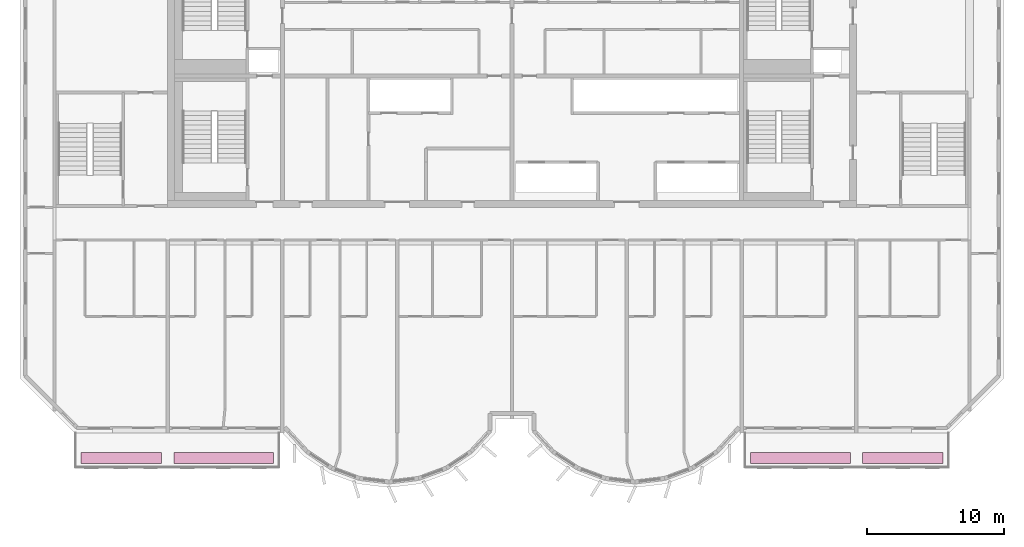
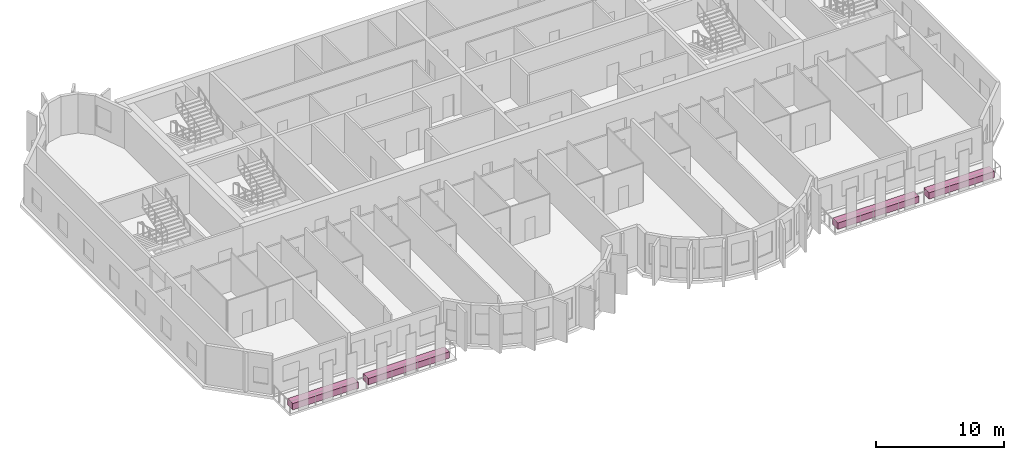
# One storey, part 12 of 12: 4 furniture elements.
"""IFC4 building model written with IfcOpenShell, lengths in metres."""

from ifc_helpers import new_model, si_unit, direction, frame, origin, origin_2d, place, context, subcontext, project, spatial, rectangle, extrude, source, transform, mapped, material, type_object, element, save


model = new_model("IFC4")

# Units and contexts
model_context = context("Model", 3, precision=1e-05, world=origin(), true_north=direction((0.0, 1.0)))
body_context = subcontext(model_context, "Body", "Model", "MODEL_VIEW")
ifc_project = project(units=[si_unit("LENGTHUNIT", "METRE"), si_unit("AREAUNIT", "SQUARE_METRE"), si_unit("VOLUMEUNIT", "CUBIC_METRE"), si_unit("PLANEANGLEUNIT", "RADIAN"), si_unit("MASSUNIT", "GRAM", prefix="KILO")], contexts=[model_context])

# Site, building, storey
site_placement = place(None, origin())
site = spatial("IfcSite", under=ifc_project, at=site_placement, CompositionType="ELEMENT")
building_placement = place(site_placement, origin())
building = spatial("IfcBuilding", under=site, at=building_placement, Name="Vanashikhar Sky Hotel", CompositionType="ELEMENT")
storey_placement = place(building_placement, frame((0.0, 0.0, 289.699951171875)))
storey = spatial("IfcBuildingStorey", under=building, at=storey_placement, Name="L69", CompositionType="ELEMENT", Elevation=289.699951171875)

# Furniture
ifc_material = material(Name="Planting soil and shrubs")
furniture_type = type_object("IfcFurnitureType", Name="Planter trough", AssemblyPlace="NOTDEFINED", PredefinedType="USERDEFINED", material=ifc_material)
shared_shape_1 = source(origin(), body_context, "Body", "SweptSolid", [
    extrude(rectangle(XDim=7.300048828125, YDim=0.800048828125, at=origin_2d()), origin(), (0.0, 0.0, 1.0), 0.60009765625),
])
for number, where, z_axis, x_axis, name in (
    (1, (29.300048828125, 3.64990234375, -0.050048828125), (0.0, 0.0, 1.0), (1.0, 0.0, 0.0), "PLANTER with climbers"),
    (2, (71.5, 3.64990234375, -0.050048828125), (0.0, 0.0, 1.0), (1.0, 0.0, 0.0), "PLANTER with climbers"),
):
    element("IfcFurniture", number, at=place(storey_placement, frame(where, z_axis=z_axis, x_axis=x_axis)), inside=storey, type_object=furniture_type, Name=name, ObjectType="PLANTER", PredefinedType="USERDEFINED", context=body_context, shape_type="MappedRepresentation", body=[
        mapped(shared_shape_1, transform((0.0, 0.0, 0.0), scale=1.0)),
    ])
shared_shape_2 = source(origin(), body_context, "Body", "SweptSolid", [
    extrude(rectangle(XDim=5.89990234375, YDim=0.800048828125, at=origin_2d()), origin(), (0.0, 0.0, 1.0), 0.60009765625),
])
for number, where, z_axis, x_axis, name in (
    (3, (21.800048828125, 3.64990234375, -0.050048828125), (0.0, 0.0, 1.0), (1.0, 0.0, 0.0), "PLANTER with climbers"),
    (4, (79.0, 3.64990234375, -0.050048828125), (0.0, 0.0, 1.0), (1.0, 0.0, 0.0), "PLANTER with climbers"),
):
    element("IfcFurniture", number, at=place(storey_placement, frame(where, z_axis=z_axis, x_axis=x_axis)), inside=storey, type_object=furniture_type, Name=name, ObjectType="PLANTER", PredefinedType="USERDEFINED", context=body_context, shape_type="MappedRepresentation", body=[
        mapped(shared_shape_2, transform((0.0, 0.0, 0.0), scale=1.0)),
    ])

save(model, "model.ifc")
